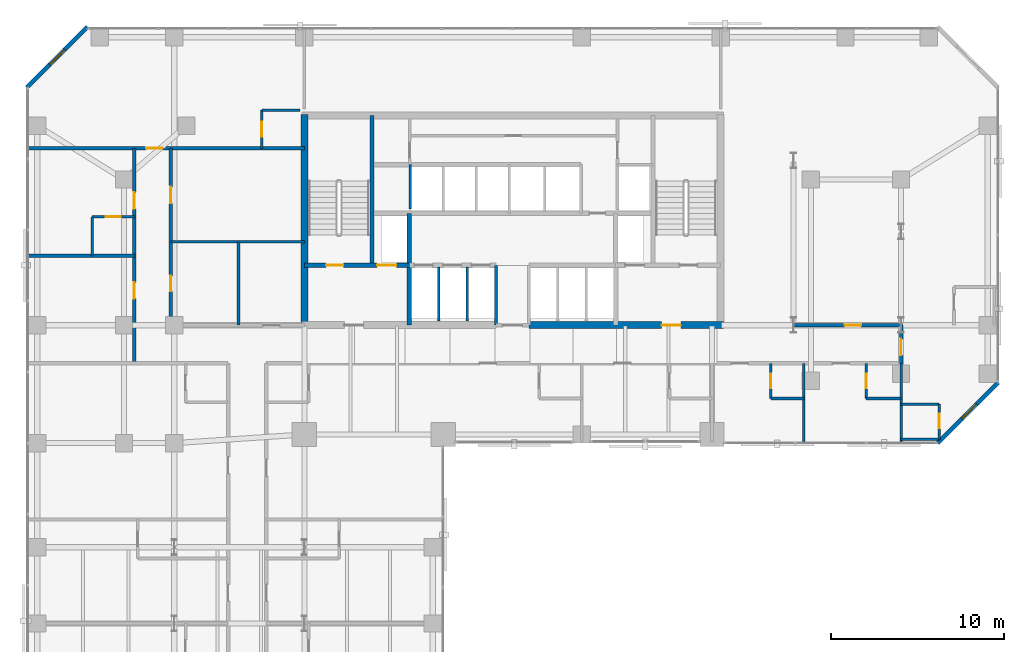
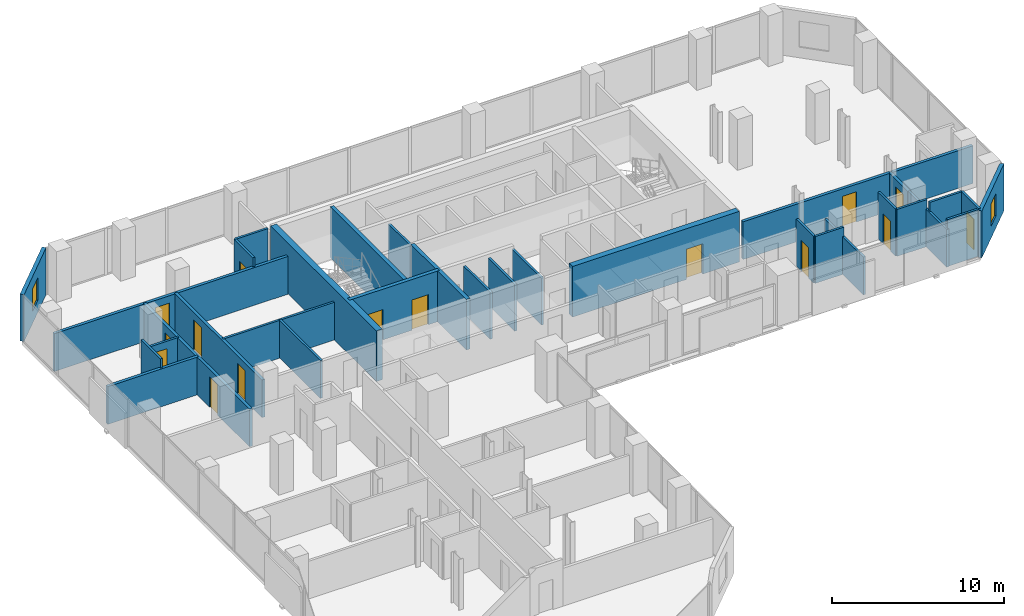
# One storey, part 28 of 32: 32 walls, 15 doors, 2 windows, 17 openings.
"""IFC4 building model written with IfcOpenShell, lengths in metres."""

from ifc_helpers import new_model, si_unit, direction, frame, frame_2d, origin, place, context, subcontext, project, spatial, rectangle, extrude, material, layer, layer_set, type_object, element, fill, save


model = new_model("IFC4")

# Units and contexts
model_context = context("Model", 3, precision=1e-05, world=origin(), true_north=direction((0.0, 1.0)))
body_context = subcontext(model_context, "Body", "Model", "MODEL_VIEW")
ifc_project = project(units=[si_unit("LENGTHUNIT", "METRE"), si_unit("AREAUNIT", "SQUARE_METRE"), si_unit("VOLUMEUNIT", "CUBIC_METRE"), si_unit("PLANEANGLEUNIT", "RADIAN"), si_unit("MASSUNIT", "GRAM", prefix="KILO")], contexts=[model_context])

# Site, building, storey
site_placement = place(None, origin())
site = spatial("IfcSite", under=ifc_project, at=site_placement, CompositionType="ELEMENT")
building_placement = place(site_placement, origin())
building = spatial("IfcBuilding", under=site, at=building_placement, Name="Catumbela Crestline Tower", CompositionType="ELEMENT")
storey_placement = place(building_placement, frame((0.0, 0.0, 29.4)))
storey = spatial("IfcBuildingStorey", under=building, at=storey_placement, Name="L06", CompositionType="ELEMENT", Elevation=29.4)

# Walls
ifc_material_1 = material(Name="Concrete C50/60", Category="concrete")
ifc_layer_1 = layer(ifc_material_1, 0.25, Name="Concrete C50/60")
ifc_layer_set_1 = layer_set([ifc_layer_1], Name="Concrete C50/60")
wall_type_1 = type_object("IfcWallType", Name="CW-250D", PredefinedType="SHEAR", material=ifc_layer_set_1)
wall_1_placement = place(storey_placement, frame((19.9, 34.25, 0.0), z_axis=(0.0, 0.0, 1.0), x_axis=(0.0, 1.0, 0.0)))
element("IfcWall", 1, at=wall_1_placement, inside=storey, type_object=wall_type_1, Name="L06 Structural Core Shear Wall WWEB", PredefinedType="SHEAR", context=body_context, shape_type="SweptSolid", body=[
    extrude(rectangle(XDim=8.65, YDim=0.25, at=frame_2d((4.325, 0.0))), origin(), (0.0, 0.0, 1.0), 3.6),
])
wall_2_placement = place(storey_placement, frame((22.05, 30.8, 0.0), z_axis=(0.0, 0.0, 1.0), x_axis=(0.0, 1.0, 0.0)))
element("IfcWall", 2, at=wall_2_placement, inside=storey, type_object=wall_type_1, Name="L06 Structural Core Shear Wall FFW", PredefinedType="SHEAR", context=body_context, shape_type="SweptSolid", body=[
    extrude(rectangle(XDim=6.45, YDim=0.25, at=frame_2d((3.225, 0.0))), origin(), (0.0, 0.0, 1.0), 3.6),
])

# Wall, openings, doors
wall_3_placement = place(storey_placement, frame((16.0, 34.25, 0.0), z_axis=(0.0, 0.0, 1.0), x_axis=(1.0, 0.0, 0.0)))
wall_3 = element("IfcWall", 3, at=wall_3_placement, inside=storey, type_object=wall_type_1, Name="L06 Structural Core Shear Wall ST1S", PredefinedType="SHEAR", context=body_context, shape_type="SweptSolid", body=[
    extrude(rectangle(XDim=6.05, YDim=0.25, at=frame_2d((3.025, 0.0))), origin(), (0.0, 0.0, 1.0), 3.6),
])
opening_1_placement = place(wall_3_placement, frame((1.25, 0.0, 0.0)))
opening_1 = element("IfcOpeningElement", 4, at=opening_1_placement, cuts=wall_3, Name="Opening DF9-100", PredefinedType="OPENING", context=body_context, shape_type="SweptSolid", body=[
    extrude(rectangle(XDim=1.0, YDim=2.15, at=frame_2d((0.5, 1.075))), frame((0.0, 0.135, 0.0), z_axis=(0.0, -1.0, 0.0), x_axis=(1.0, 0.0, 0.0)), (0.0, 0.0, 1.0), 0.27),
])
opening_2_placement = place(wall_3_placement, frame((4.2, 0.0, 0.0)))
opening_2 = element("IfcOpeningElement", 5, at=opening_2_placement, cuts=wall_3, Name="Opening LD-110", PredefinedType="OPENING", context=body_context, shape_type="SweptSolid", body=[
    extrude(rectangle(XDim=1.1, YDim=2.15, at=frame_2d((0.55, 1.075))), frame((0.0, 0.135, 0.0), z_axis=(0.0, -1.0, 0.0), x_axis=(1.0, 0.0, 0.0)), (0.0, 0.0, 1.0), 0.27),
])
ifc_material_2 = material(Name="Stainless steel EN 1.4401", Category="steel")
door_type_1 = type_object("IfcDoorType", Name="DF9-100", OperationType="NOTDEFINED", PredefinedType="DOOR", material=ifc_material_2)
door_1_placement = place(opening_1_placement, origin())
door_1 = element("IfcDoor", 6, at=door_1_placement, inside=storey, type_object=door_type_1, Name="L06 Interior Door DR-L06-ST01", OperationType="SINGLE_SWING_LEFT", OverallHeight=2.15, OverallWidth=1.0, PredefinedType="DOOR", context=body_context, shape_type="SweptSolid", body=[
    extrude(rectangle(XDim=1.0, YDim=2.15, at=frame_2d((0.5, 1.075))), frame((0.0, 0.025, 0.0), z_axis=(0.0, -1.0, 0.0), x_axis=(1.0, 0.0, 0.0)), (0.0, 0.0, 1.0), 0.05),
])
fill(opening_1, door_1)
door_type_2 = type_object("IfcDoorType", Name="LD-110", OperationType="NOTDEFINED", PredefinedType="DOOR", material=ifc_material_2)
door_2_placement = place(opening_2_placement, origin())
door_2 = element("IfcDoor", 7, at=door_2_placement, inside=storey, type_object=door_type_2, Name="L06 Lift Landing Sliding Door FL-01", OperationType="DOUBLE_DOOR_SLIDING", OverallHeight=2.15, OverallWidth=1.1, PredefinedType="DOOR", context=body_context, shape_type="SweptSolid", body=[
    extrude(rectangle(XDim=1.1, YDim=2.15, at=frame_2d((0.55, 1.075))), frame((0.0, 0.025, 0.0), z_axis=(0.0, -1.0, 0.0), x_axis=(1.0, 0.0, 0.0)), (0.0, 0.0, 1.0), 0.05),
])
fill(opening_2, door_2)

# Wall
ifc_material_3 = material(Name="Concrete C60/75", Category="concrete")
ifc_layer_2 = layer(ifc_material_3, 0.4, Name="Concrete C60/75")
ifc_layer_set_2 = layer_set([ifc_layer_2], Name="Concrete C60/75")
wall_type_2 = type_object("IfcWallType", Name="CW-400A", PredefinedType="SHEAR", material=ifc_layer_set_2)
wall_4_placement = place(storey_placement, frame((16.0, 30.65, 0.0), z_axis=(0.0, 0.0, 1.0), x_axis=(0.0, 1.0, 0.0)))
element("IfcWall", 8, at=wall_4_placement, inside=storey, type_object=wall_type_2, Name="L06 Structural Core Shear Wall W", PredefinedType="SHEAR", context=body_context, shape_type="SweptSolid", body=[
    extrude(rectangle(XDim=12.3, YDim=0.4, at=frame_2d((6.15, 0.0))), origin(), (0.0, 0.0, 1.0), 3.6),
])

# Wall, opening, door
wall_5_placement = place(storey_placement, frame((28.95, 30.8, 0.0), z_axis=(0.0, 0.0, 1.0), x_axis=(1.0, 0.0, 0.0)))
wall_5 = element("IfcWall", 9, at=wall_5_placement, inside=storey, type_object=wall_type_2, Name="L06 Structural Core Shear Wall SE", PredefinedType="SHEAR", context=body_context, shape_type="SweptSolid", body=[
    extrude(rectangle(XDim=11.2, YDim=0.4, at=frame_2d((5.6, 0.0))), origin(), (0.0, 0.0, 1.0), 3.6),
])
opening_3_placement = place(wall_5_placement, frame((7.65, 0.0, 0.0)))
opening_3 = element("IfcOpeningElement", 10, at=opening_3_placement, cuts=wall_5, Name="Opening DF9-110", PredefinedType="OPENING", context=body_context, shape_type="SweptSolid", body=[
    extrude(rectangle(XDim=1.1, YDim=2.15, at=frame_2d((0.55, 1.075))), frame((0.0, 0.21, 0.0), z_axis=(0.0, -1.0, 0.0), x_axis=(1.0, 0.0, 0.0)), (0.0, 0.0, 1.0), 0.42),
])
door_type_3 = type_object("IfcDoorType", Name="DF9-110", OperationType="NOTDEFINED", PredefinedType="DOOR", material=ifc_material_2)
door_3_placement = place(opening_3_placement, origin())
door_3 = element("IfcDoor", 11, at=door_3_placement, inside=storey, type_object=door_type_3, Name="L06 Interior Door DR-L06-FFE-S", OperationType="SINGLE_SWING_RIGHT", OverallHeight=2.15, OverallWidth=1.1, PredefinedType="DOOR", context=body_context, shape_type="SweptSolid", body=[
    extrude(rectangle(XDim=1.1, YDim=2.15, at=frame_2d((0.55, 1.075))), frame((0.0, 0.025, 0.0), z_axis=(0.0, -1.0, 0.0), x_axis=(1.0, 0.0, 0.0)), (0.0, 0.0, 1.0), 0.05),
])
fill(opening_3, door_3)

# Wall, openings, doors
ifc_material_4 = material(Name="Acoustic gypsum and mineral-wool partition")
ifc_layer_3 = layer(ifc_material_4, 0.2, Name="Acoustic gypsum and mineral-wool partition")
ifc_layer_set_3 = layer_set([ifc_layer_3], Name="Acoustic gypsum and mineral-wool partition")
wall_type_3 = type_object("IfcWallType", Name="WC-200", PredefinedType="PARTITIONING", material=ifc_layer_set_3)
wall_6_placement = place(storey_placement, frame((8.3, 30.8, 0.0), z_axis=(0.0, 0.0, 1.0), x_axis=(0.0, 1.0, 0.0)))
wall_6 = element("IfcWall", 12, at=wall_6_placement, inside=storey, type_object=wall_type_3, Name="L06 Interior Partition PW-L06-AWC-W", PredefinedType="PARTITIONING", context=body_context, shape_type="SweptSolid", body=[
    extrude(rectangle(XDim=10.2, YDim=0.2, at=frame_2d((5.1, 0.0))), origin(), (0.0, 0.0, 1.0), 2.68),
])
opening_4_placement = place(wall_6_placement, frame((1.95, 0.0, 0.0)))
opening_4 = element("IfcOpeningElement", 13, at=opening_4_placement, cuts=wall_6, Name="Opening DI-090", PredefinedType="OPENING", context=body_context, shape_type="SweptSolid", body=[
    extrude(rectangle(XDim=0.9, YDim=2.15, at=frame_2d((0.45, 1.075))), frame((0.0, 0.11, 0.0), z_axis=(0.0, -1.0, 0.0), x_axis=(1.0, 0.0, 0.0)), (0.0, 0.0, 1.0), 0.22),
])
opening_5_placement = place(wall_6_placement, frame((7.025, 0.0, 0.0)))
opening_5 = element("IfcOpeningElement", 14, at=opening_5_placement, cuts=wall_6, Name="Opening DF6-095", PredefinedType="OPENING", context=body_context, shape_type="SweptSolid", body=[
    extrude(rectangle(XDim=0.95, YDim=2.15, at=frame_2d((0.475, 1.075))), frame((0.0, 0.11, 0.0), z_axis=(0.0, -1.0, 0.0), x_axis=(1.0, 0.0, 0.0)), (0.0, 0.0, 1.0), 0.22),
])
ifc_material_5 = material(Name="Aluminium alloy AW-6060-T66", Category="aluminium")
door_type_4 = type_object("IfcDoorType", Name="DF6-095", OperationType="NOTDEFINED", PredefinedType="DOOR", material=ifc_material_5)
door_4_placement = place(opening_5_placement, origin())
door_4 = element("IfcDoor", 15, at=door_4_placement, inside=storey, type_object=door_type_4, Name="L06 Interior Door DR-L06-NWE1-ENT", OperationType="SINGLE_SWING_RIGHT", OverallHeight=2.15, OverallWidth=0.95, PredefinedType="DOOR", context=body_context, shape_type="SweptSolid", body=[
    extrude(rectangle(XDim=0.95, YDim=2.15, at=frame_2d((0.475, 1.075))), frame((0.0, 0.025, 0.0), z_axis=(0.0, -1.0, 0.0), x_axis=(1.0, 0.0, 0.0)), (0.0, 0.0, 1.0), 0.05),
])
fill(opening_5, door_4)
door_type_5 = type_object("IfcDoorType", Name="DI-090", OperationType="NOTDEFINED", PredefinedType="DOOR", material=ifc_material_5)
door_5_placement = place(opening_4_placement, origin())
door_5 = element("IfcDoor", 16, at=door_5_placement, inside=storey, type_object=door_type_5, Name="L06 Interior Door DR-L06-STWC", OperationType="SINGLE_SWING_RIGHT", OverallHeight=2.15, OverallWidth=0.9, PredefinedType="DOOR", context=body_context, shape_type="SweptSolid", body=[
    extrude(rectangle(XDim=0.9, YDim=2.15, at=frame_2d((0.45, 1.075))), frame((0.0, 0.025, 0.0), z_axis=(0.0, -1.0, 0.0), x_axis=(1.0, 0.0, 0.0)), (0.0, 0.0, 1.0), 0.05),
])
fill(opening_4, door_5)

# Wall, opening, door
wall_7_placement = place(storey_placement, frame((0.1, 41.0, 0.0), z_axis=(0.0, 0.0, 1.0), x_axis=(1.0, 0.0, 0.0)))
wall_7 = element("IfcWall", 17, at=wall_7_placement, inside=storey, type_object=wall_type_3, Name="L06 Interior Partition PW-L06-NWTOP-ENT", PredefinedType="PARTITIONING", context=body_context, shape_type="SweptSolid", body=[
    extrude(rectangle(XDim=15.9, YDim=0.2, at=frame_2d((7.95, 0.0))), origin(), (0.0, 0.0, 1.0), 2.68),
])
opening_6_placement = place(wall_7_placement, frame((6.7788, 0.0, 0.0)))
opening_6 = element("IfcOpeningElement", 18, at=opening_6_placement, cuts=wall_7, Name="Opening DF6-095", PredefinedType="OPENING", context=body_context, shape_type="SweptSolid", body=[
    extrude(rectangle(XDim=0.95, YDim=2.15, at=frame_2d((0.475, 1.075))), frame((0.0, 0.11, 0.0), z_axis=(0.0, -1.0, 0.0), x_axis=(1.0, 0.0, 0.0)), (0.0, 0.0, 1.0), 0.22),
])
door_6_placement = place(opening_6_placement, origin())
door_6 = element("IfcDoor", 19, at=door_6_placement, inside=storey, type_object=door_type_4, Name="L06 Interior Door DR-L06-NWTOP-ENT", OperationType="SINGLE_SWING_LEFT", OverallHeight=2.15, OverallWidth=0.95, PredefinedType="DOOR", context=body_context, shape_type="SweptSolid", body=[
    extrude(rectangle(XDim=0.95, YDim=2.15, at=frame_2d((0.475, 1.075))), frame((0.0, 0.025, 0.0), z_axis=(0.0, -1.0, 0.0), x_axis=(1.0, 0.0, 0.0)), (0.0, 0.0, 1.0), 0.05),
])
fill(opening_6, door_6)

# Wall, openings, doors
wall_8_placement = place(storey_placement, frame((6.2, 28.6, 0.0), z_axis=(0.0, 0.0, 1.0), x_axis=(0.0, 1.0, 0.0)))
wall_8 = element("IfcWall", 20, at=wall_8_placement, inside=storey, type_object=wall_type_3, Name="L06 Interior Partition PW-L06-NWW1-ENT", PredefinedType="PARTITIONING", context=body_context, shape_type="SweptSolid", body=[
    extrude(rectangle(XDim=12.4, YDim=0.2, at=frame_2d((6.2, 0.0))), origin(), (0.0, 0.0, 1.0), 2.68),
])
opening_7_placement = place(wall_8_placement, frame((3.725, 0.0, 0.0)))
opening_7 = element("IfcOpeningElement", 21, at=opening_7_placement, cuts=wall_8, Name="Opening DF6-095", PredefinedType="OPENING", context=body_context, shape_type="SweptSolid", body=[
    extrude(rectangle(XDim=0.95, YDim=2.15, at=frame_2d((0.475, 1.075))), frame((0.0, 0.11, 0.0), z_axis=(0.0, -1.0, 0.0), x_axis=(1.0, 0.0, 0.0)), (0.0, 0.0, 1.0), 0.22),
])
opening_8_placement = place(wall_8_placement, frame((8.91, 0.0, 0.0)))
opening_8 = element("IfcOpeningElement", 22, at=opening_8_placement, cuts=wall_8, Name="Opening DF6-095", PredefinedType="OPENING", context=body_context, shape_type="SweptSolid", body=[
    extrude(rectangle(XDim=0.95, YDim=2.15, at=frame_2d((0.475, 1.075))), frame((0.0, 0.11, 0.0), z_axis=(0.0, -1.0, 0.0), x_axis=(1.0, 0.0, 0.0)), (0.0, 0.0, 1.0), 0.22),
])
door_7_placement = place(opening_7_placement, origin())
door_7 = element("IfcDoor", 23, at=door_7_placement, inside=storey, type_object=door_type_4, Name="L06 Interior Door DR-L06-NWW1-ENT", OperationType="SINGLE_SWING_RIGHT", OverallHeight=2.15, OverallWidth=0.95, PredefinedType="DOOR", context=body_context, shape_type="SweptSolid", body=[
    extrude(rectangle(XDim=0.95, YDim=2.15, at=frame_2d((0.475, 1.075))), frame((0.0, 0.025, 0.0), z_axis=(0.0, -1.0, 0.0), x_axis=(1.0, 0.0, 0.0)), (0.0, 0.0, 1.0), 0.05),
])
fill(opening_7, door_7)
door_8_placement = place(opening_8_placement, origin())
door_8 = element("IfcDoor", 24, at=door_8_placement, inside=storey, type_object=door_type_4, Name="L06 Interior Door DR-L06-NWW2-ENT", OperationType="SINGLE_SWING_LEFT", OverallHeight=2.15, OverallWidth=0.95, PredefinedType="DOOR", context=body_context, shape_type="SweptSolid", body=[
    extrude(rectangle(XDim=0.95, YDim=2.15, at=frame_2d((0.475, 1.075))), frame((0.0, 0.025, 0.0), z_axis=(0.0, -1.0, 0.0), x_axis=(1.0, 0.0, 0.0)), (0.0, 0.0, 1.0), 0.05),
])
fill(opening_8, door_8)

# Wall, opening, door
wall_9_placement = place(storey_placement, frame((40.47, 30.8, 0.0), z_axis=(0.0, 0.0, 1.0), x_axis=(1.0, 0.0, 0.0)))
wall_9 = element("IfcWall", 25, at=wall_9_placement, inside=storey, type_object=wall_type_3, Name="L06 Interior Partition PW-L06-NES-ENT", PredefinedType="PARTITIONING", context=body_context, shape_type="SweptSolid", body=[
    extrude(rectangle(XDim=15.43, YDim=0.2, at=frame_2d((7.715, 0.0))), origin(), (0.0, 0.0, 1.0), 2.68),
])
opening_9_placement = place(wall_9_placement, frame((6.6725, 0.0, 0.0)))
opening_9 = element("IfcOpeningElement", 26, at=opening_9_placement, cuts=wall_9, Name="Opening DF6-095", PredefinedType="OPENING", context=body_context, shape_type="SweptSolid", body=[
    extrude(rectangle(XDim=0.95, YDim=2.15, at=frame_2d((0.475, 1.075))), frame((0.0, 0.11, 0.0), z_axis=(0.0, -1.0, 0.0), x_axis=(1.0, 0.0, 0.0)), (0.0, 0.0, 1.0), 0.22),
])
door_9_placement = place(opening_9_placement, origin())
door_9 = element("IfcDoor", 27, at=door_9_placement, inside=storey, type_object=door_type_4, Name="L06 Interior Door DR-L06-NES-ENT", OperationType="SINGLE_SWING_LEFT", OverallHeight=2.15, OverallWidth=0.95, PredefinedType="DOOR", context=body_context, shape_type="SweptSolid", body=[
    extrude(rectangle(XDim=0.95, YDim=2.15, at=frame_2d((0.475, 1.075))), frame((0.0, 0.025, 0.0), z_axis=(0.0, -1.0, 0.0), x_axis=(1.0, 0.0, 0.0)), (0.0, 0.0, 1.0), 0.05),
])
fill(opening_9, door_9)

wall_10_placement = place(storey_placement, frame((50.4, 28.6, 0.0), z_axis=(0.0, 0.0, 1.0), x_axis=(0.0, 1.0, 0.0)))
wall_10 = element("IfcWall", 28, at=wall_10_placement, inside=storey, type_object=wall_type_3, Name="L06 Interior Partition PW-L06-NESE-ENT", PredefinedType="PARTITIONING", context=body_context, shape_type="SweptSolid", body=[
    extrude(rectangle(XDim=2.2, YDim=0.2, at=frame_2d((1.1, 0.0))), origin(), (0.0, 0.0, 1.0), 2.68),
])
opening_10_placement = place(wall_10_placement, frame((0.46, 0.0, 0.0)))
opening_10 = element("IfcOpeningElement", 29, at=opening_10_placement, cuts=wall_10, Name="Opening DF6-095", PredefinedType="OPENING", context=body_context, shape_type="SweptSolid", body=[
    extrude(rectangle(XDim=0.95, YDim=2.15, at=frame_2d((0.475, 1.075))), frame((0.0, 0.11, 0.0), z_axis=(0.0, -1.0, 0.0), x_axis=(1.0, 0.0, 0.0)), (0.0, 0.0, 1.0), 0.22),
])
door_10_placement = place(opening_10_placement, origin())
door_10 = element("IfcDoor", 30, at=door_10_placement, inside=storey, type_object=door_type_4, Name="L06 Interior Door DR-L06-NESE-ENT", OperationType="SINGLE_SWING_RIGHT", OverallHeight=2.15, OverallWidth=0.95, PredefinedType="DOOR", context=body_context, shape_type="SweptSolid", body=[
    extrude(rectangle(XDim=0.95, YDim=2.15, at=frame_2d((0.475, 1.075))), frame((0.0, 0.025, 0.0), z_axis=(0.0, -1.0, 0.0), x_axis=(1.0, 0.0, 0.0)), (0.0, 0.0, 1.0), 0.05),
])
fill(opening_10, door_10)

# Wall, opening, window
ifc_material_6 = material(Name="Angolan grey-ochre granite", Category="masonry")
ifc_layer_4 = layer(ifc_material_6, 0.25, Name="Angolan grey-ochre granite")
ifc_layer_set_4 = layer_set([ifc_layer_4], Name="Angolan grey-ochre granite")
wall_type_4 = type_object("IfcWallType", Name="WE-250", PredefinedType="STANDARD", material=ifc_layer_set_4)
wall_11_placement = place(storey_placement, frame((52.5, 24.0, 0.0), z_axis=(0.0, 0.0, 1.0), x_axis=(0.707106781187, 0.707106781187, 0.0)))
wall_11 = element("IfcWall", 31, at=wall_11_placement, inside=storey, type_object=wall_type_4, Name="L06 Granite Punched Window Wall 4-1", PredefinedType="STANDARD", context=body_context, shape_type="SweptSolid", body=[
    extrude(rectangle(XDim=4.9497, YDim=0.25, at=frame_2d((2.4748, 0.0))), origin(), (0.0, 0.0, 1.0), 3.33),
])
opening_11_placement = place(wall_11_placement, frame((1.9851, 0.0, 0.85)))
opening_11 = element("IfcOpeningElement", 32, at=opening_11_placement, cuts=wall_11, Name="Opening WN-02", PredefinedType="OPENING", context=body_context, shape_type="SweptSolid", body=[
    extrude(rectangle(XDim=1.2, YDim=1.6, at=frame_2d((0.6, 0.8))), frame((0.0, 0.135, 0.0), z_axis=(0.0, -1.0, 0.0), x_axis=(1.0, 0.0, 0.0)), (0.0, 0.0, 1.0), 0.27),
])
ifc_material_7 = material(Name="Low-E laminated solar-control double glazing", Category="glass")
window_type = type_object("IfcWindowType", Name="WO-1200", PartitioningType="SINGLE_PANEL", PredefinedType="WINDOW", material=ifc_material_7)
window_1_placement = place(opening_11_placement, origin())
window_1 = element("IfcWindow", 33, at=window_1_placement, inside=storey, type_object=window_type, Name="L06 Facade Vision Window 54", OverallHeight=1.6, OverallWidth=1.2, PartitioningType="SINGLE_PANEL", PredefinedType="WINDOW", context=body_context, shape_type="SweptSolid", body=[
    extrude(rectangle(XDim=1.2, YDim=1.6, at=frame_2d((0.6, 0.8))), frame((0.0, 0.03, 0.0), z_axis=(0.0, -1.0, 0.0), x_axis=(1.0, 0.0, 0.0)), (0.0, 0.0, 1.0), 0.06),
])
fill(opening_11, window_1)

wall_12_placement = place(storey_placement, frame((3.5, 48.0, 0.0), z_axis=(0.0, 0.0, 1.0), x_axis=(-0.707106781187, -0.707106781187, 0.0)))
wall_12 = element("IfcWall", 34, at=wall_12_placement, inside=storey, type_object=wall_type_4, Name="L06 Granite Punched Window Wall 8-1", PredefinedType="STANDARD", context=body_context, shape_type="SweptSolid", body=[
    extrude(rectangle(XDim=4.9497, YDim=0.25, at=frame_2d((2.4748, 0.0))), origin(), (0.0, 0.0, 1.0), 3.33),
])
opening_12_placement = place(wall_12_placement, frame((1.8748, 0.0, 0.85)))
opening_12 = element("IfcOpeningElement", 35, at=opening_12_placement, cuts=wall_12, Name="Opening WN-02", PredefinedType="OPENING", context=body_context, shape_type="SweptSolid", body=[
    extrude(rectangle(XDim=1.2, YDim=1.6, at=frame_2d((0.6, 0.8))), frame((0.0, 0.135, 0.0), z_axis=(0.0, -1.0, 0.0), x_axis=(1.0, 0.0, 0.0)), (0.0, 0.0, 1.0), 0.27),
])
window_2_placement = place(opening_12_placement, origin())
window_2 = element("IfcWindow", 36, at=window_2_placement, inside=storey, type_object=window_type, Name="L06 Facade Vision Window 56", OverallHeight=1.6, OverallWidth=1.2, PartitioningType="SINGLE_PANEL", PredefinedType="WINDOW", context=body_context, shape_type="SweptSolid", body=[
    extrude(rectangle(XDim=1.2, YDim=1.6, at=frame_2d((0.6, 0.8))), frame((0.0, 0.03, 0.0), z_axis=(0.0, -1.0, 0.0), x_axis=(1.0, 0.0, 0.0)), (0.0, 0.0, 1.0), 0.06),
])
fill(opening_12, window_2)

# Walls
ifc_layer_5 = layer(ifc_material_4, 0.15, Name="Acoustic gypsum and mineral-wool partition")
ifc_layer_set_5 = layer_set([ifc_layer_5], Name="Acoustic gypsum and mineral-wool partition")
wall_type_5 = type_object("IfcWallType", Name="WP-150", PredefinedType="PARTITIONING", material=ifc_layer_set_5)
wall_13_placement = place(storey_placement, frame((8.3, 35.6, 0.0), z_axis=(0.0, 0.0, 1.0), x_axis=(1.0, 0.0, 0.0)))
element("IfcWall", 37, at=wall_13_placement, inside=storey, type_object=wall_type_5, Name="L06 Interior Partition PW-L06-HK-N", PredefinedType="PARTITIONING", context=body_context, shape_type="SweptSolid", body=[
    extrude(rectangle(XDim=7.7, YDim=0.15, at=frame_2d((3.85, 0.0))), origin(), (0.0, 0.0, 1.0), 2.68),
])
wall_14_placement = place(storey_placement, frame((12.2, 30.8, 0.0), z_axis=(0.0, 0.0, 1.0), x_axis=(0.0, 1.0, 0.0)))
element("IfcWall", 38, at=wall_14_placement, inside=storey, type_object=wall_type_5, Name="L06 Interior Partition PW-L06-HK-M", PredefinedType="PARTITIONING", context=body_context, shape_type="SweptSolid", body=[
    extrude(rectangle(XDim=4.8, YDim=0.15, at=frame_2d((2.4, 0.0))), origin(), (0.0, 0.0, 1.0), 2.68),
])
wall_15_placement = place(storey_placement, frame((13.55, 43.2, 0.0), z_axis=(0.0, 0.0, 1.0), x_axis=(1.0, 0.0, 0.0)))
element("IfcWall", 39, at=wall_15_placement, inside=storey, type_object=wall_type_5, Name="L06 Interior Partition PW-L06-NWTOP-BHW", PredefinedType="PARTITIONING", context=body_context, shape_type="SweptSolid", body=[
    extrude(rectangle(XDim=2.1897, YDim=0.15, at=frame_2d((1.0949, 0.0))), origin(), (0.0, 0.0, 1.0), 3.33),
])

# Wall, opening, door
wall_16_placement = place(storey_placement, frame((13.55, 41.0, 0.0), z_axis=(0.0, 0.0, 1.0), x_axis=(0.0, 1.0, 0.0)))
wall_16 = element("IfcWall", 40, at=wall_16_placement, inside=storey, type_object=wall_type_5, Name="L06 Interior Partition PW-L06-NWTOP-BWW", PredefinedType="PARTITIONING", context=body_context, shape_type="SweptSolid", body=[
    extrude(rectangle(XDim=2.2, YDim=0.15, at=frame_2d((1.1, 0.0))), origin(), (0.0, 0.0, 1.0), 3.33),
])
opening_13_placement = place(wall_16_placement, frame((0.675, 0.0, 0.0)))
opening_13 = element("IfcOpeningElement", 41, at=opening_13_placement, cuts=wall_16, Name="Opening DI-085", PredefinedType="OPENING", context=body_context, shape_type="SweptSolid", body=[
    extrude(rectangle(XDim=0.85, YDim=2.15, at=frame_2d((0.425, 1.075))), frame((0.0, 0.085, 0.0), z_axis=(0.0, -1.0, 0.0), x_axis=(1.0, 0.0, 0.0)), (0.0, 0.0, 1.0), 0.17),
])
door_type_6 = type_object("IfcDoorType", Name="DI-085", OperationType="NOTDEFINED", PredefinedType="DOOR", material=ifc_material_5)
door_11_placement = place(opening_13_placement, origin())
door_11 = element("IfcDoor", 42, at=door_11_placement, inside=storey, type_object=door_type_6, Name="L06 Interior Door DR-L06-NWTOP-BTH", OperationType="SINGLE_SWING_RIGHT", OverallHeight=2.15, OverallWidth=0.85, PredefinedType="DOOR", context=body_context, shape_type="SweptSolid", body=[
    extrude(rectangle(XDim=0.85, YDim=2.15, at=frame_2d((0.425, 1.075))), frame((0.0, 0.025, 0.0), z_axis=(0.0, -1.0, 0.0), x_axis=(1.0, 0.0, 0.0)), (0.0, 0.0, 1.0), 0.05),
])
fill(opening_13, door_11)

# Wall
wall_17_placement = place(storey_placement, frame((3.76, 34.8, 0.0), z_axis=(0.0, 0.0, 1.0), x_axis=(0.0, 1.0, 0.0)))
element("IfcWall", 43, at=wall_17_placement, inside=storey, type_object=wall_type_5, Name="L06 Interior Partition PW-L06-NWW2-BWW", PredefinedType="PARTITIONING", context=body_context, shape_type="SweptSolid", body=[
    extrude(rectangle(XDim=2.25, YDim=0.15, at=frame_2d((1.125, 0.0))), origin(), (0.0, 0.0, 1.0), 3.33),
])

# Wall, opening, door
wall_18_placement = place(storey_placement, frame((3.76, 37.05, 0.0), z_axis=(0.0, 0.0, 1.0), x_axis=(1.0, 0.0, 0.0)))
wall_18 = element("IfcWall", 44, at=wall_18_placement, inside=storey, type_object=wall_type_5, Name="L06 Interior Partition PW-L06-NWW2-BNW", PredefinedType="PARTITIONING", context=body_context, shape_type="SweptSolid", body=[
    extrude(rectangle(XDim=2.44, YDim=0.15, at=frame_2d((1.22, 0.0))), origin(), (0.0, 0.0, 1.0), 2.68),
])
opening_14_placement = place(wall_18_placement, frame((0.795, 0.0, 0.0)))
opening_14 = element("IfcOpeningElement", 45, at=opening_14_placement, cuts=wall_18, Name="Opening DI-085", PredefinedType="OPENING", context=body_context, shape_type="SweptSolid", body=[
    extrude(rectangle(XDim=0.85, YDim=2.15, at=frame_2d((0.425, 1.075))), frame((0.0, 0.085, 0.0), z_axis=(0.0, -1.0, 0.0), x_axis=(1.0, 0.0, 0.0)), (0.0, 0.0, 1.0), 0.17),
])
door_12_placement = place(opening_14_placement, origin())
door_12 = element("IfcDoor", 46, at=door_12_placement, inside=storey, type_object=door_type_6, Name="L06 Interior Door DR-L06-NWW2-BTH", OperationType="SINGLE_SWING_RIGHT", OverallHeight=2.15, OverallWidth=0.85, PredefinedType="DOOR", context=body_context, shape_type="SweptSolid", body=[
    extrude(rectangle(XDim=0.85, YDim=2.15, at=frame_2d((0.425, 1.075))), frame((0.0, 0.025, 0.0), z_axis=(0.0, -1.0, 0.0), x_axis=(1.0, 0.0, 0.0)), (0.0, 0.0, 1.0), 0.05),
])
fill(opening_14, door_12)

# Wall
wall_19_placement = place(storey_placement, frame((42.892, 26.576, 0.0), z_axis=(0.0, 0.0, 1.0), x_axis=(1.0, 0.0, 0.0)))
element("IfcWall", 47, at=wall_19_placement, inside=storey, type_object=wall_type_5, Name="L06 Interior Partition PW-L06-K3-BHW", PredefinedType="PARTITIONING", context=body_context, shape_type="SweptSolid", body=[
    extrude(rectangle(XDim=1.908, YDim=0.15, at=frame_2d((0.954, 0.0))), origin(), (0.0, 0.0, 1.0), 3.33),
])

# Wall, opening, door
wall_20_placement = place(storey_placement, frame((42.892, 26.576, 0.0), z_axis=(0.0, 0.0, 1.0), x_axis=(0.0, 1.0, 0.0)))
wall_20 = element("IfcWall", 48, at=wall_20_placement, inside=storey, type_object=wall_type_5, Name="L06 Interior Partition PW-L06-K3-BWW", PredefinedType="PARTITIONING", context=body_context, shape_type="SweptSolid", body=[
    extrude(rectangle(XDim=2.024, YDim=0.15, at=frame_2d((1.012, 0.0))), origin(), (0.0, 0.0, 1.0), 3.33),
])
opening_15_placement = place(wall_20_placement, frame((0.587, 0.0, 0.0)))
opening_15 = element("IfcOpeningElement", 49, at=opening_15_placement, cuts=wall_20, Name="Opening DI-085", PredefinedType="OPENING", context=body_context, shape_type="SweptSolid", body=[
    extrude(rectangle(XDim=0.85, YDim=2.15, at=frame_2d((0.425, 1.075))), frame((0.0, 0.085, 0.0), z_axis=(0.0, -1.0, 0.0), x_axis=(1.0, 0.0, 0.0)), (0.0, 0.0, 1.0), 0.17),
])
door_13_placement = place(opening_15_placement, origin())
door_13 = element("IfcDoor", 50, at=door_13_placement, inside=storey, type_object=door_type_6, Name="L06 Interior Door DR-L06-K3-BTH", OperationType="SINGLE_SWING_RIGHT", OverallHeight=2.15, OverallWidth=0.85, PredefinedType="DOOR", context=body_context, shape_type="SweptSolid", body=[
    extrude(rectangle(XDim=0.85, YDim=2.15, at=frame_2d((0.425, 1.075))), frame((0.0, 0.025, 0.0), z_axis=(0.0, -1.0, 0.0), x_axis=(1.0, 0.0, 0.0)), (0.0, 0.0, 1.0), 0.05),
])
fill(opening_15, door_13)

# Walls
wall_21_placement = place(storey_placement, frame((44.8, 28.6, 0.0), z_axis=(0.0, 0.0, 1.0), x_axis=(0.0, -1.0, 0.0)))
element("IfcWall", 51, at=wall_21_placement, inside=storey, type_object=wall_type_5, Name="L06 Interior Partition PW-L06-K3-BCL-2", PredefinedType="PARTITIONING", context=body_context, shape_type="SweptSolid", body=[
    extrude(rectangle(XDim=4.5, YDim=0.15, at=frame_2d((2.25, 0.0))), origin(), (0.0, 0.0, 1.0), 2.68),
])
wall_22_placement = place(storey_placement, frame((48.384, 26.576, 0.0), z_axis=(0.0, 0.0, 1.0), x_axis=(1.0, 0.0, 0.0)))
element("IfcWall", 52, at=wall_22_placement, inside=storey, type_object=wall_type_5, Name="L06 Interior Partition PW-L06-K4-BHW", PredefinedType="PARTITIONING", context=body_context, shape_type="SweptSolid", body=[
    extrude(rectangle(XDim=2.016, YDim=0.15, at=frame_2d((1.008, 0.0))), origin(), (0.0, 0.0, 1.0), 3.33),
])

# Wall, opening, door
wall_23_placement = place(storey_placement, frame((48.384, 26.576, 0.0), z_axis=(0.0, 0.0, 1.0), x_axis=(0.0, 1.0, 0.0)))
wall_23 = element("IfcWall", 53, at=wall_23_placement, inside=storey, type_object=wall_type_5, Name="L06 Interior Partition PW-L06-K4-BWW", PredefinedType="PARTITIONING", context=body_context, shape_type="SweptSolid", body=[
    extrude(rectangle(XDim=2.024, YDim=0.15, at=frame_2d((1.012, 0.0))), origin(), (0.0, 0.0, 1.0), 3.33),
])
opening_16_placement = place(wall_23_placement, frame((0.587, 0.0, 0.0)))
opening_16 = element("IfcOpeningElement", 54, at=opening_16_placement, cuts=wall_23, Name="Opening DI-085", PredefinedType="OPENING", context=body_context, shape_type="SweptSolid", body=[
    extrude(rectangle(XDim=0.85, YDim=2.15, at=frame_2d((0.425, 1.075))), frame((0.0, 0.085, 0.0), z_axis=(0.0, -1.0, 0.0), x_axis=(1.0, 0.0, 0.0)), (0.0, 0.0, 1.0), 0.17),
])
door_14_placement = place(opening_16_placement, origin())
door_14 = element("IfcDoor", 55, at=door_14_placement, inside=storey, type_object=door_type_6, Name="L06 Interior Door DR-L06-K4-BTH", OperationType="SINGLE_SWING_RIGHT", OverallHeight=2.15, OverallWidth=0.85, PredefinedType="DOOR", context=body_context, shape_type="SweptSolid", body=[
    extrude(rectangle(XDim=0.85, YDim=2.15, at=frame_2d((0.425, 1.075))), frame((0.0, 0.025, 0.0), z_axis=(0.0, -1.0, 0.0), x_axis=(1.0, 0.0, 0.0)), (0.0, 0.0, 1.0), 0.05),
])
fill(opening_16, door_14)

# Walls
wall_24_placement = place(storey_placement, frame((50.4, 28.6, 0.0), z_axis=(0.0, 0.0, 1.0), x_axis=(0.0, -1.0, 0.0)))
element("IfcWall", 56, at=wall_24_placement, inside=storey, type_object=wall_type_5, Name="L06 Interior Partition PW-L06-K4-BCL-2", PredefinedType="PARTITIONING", context=body_context, shape_type="SweptSolid", body=[
    extrude(rectangle(XDim=4.5, YDim=0.15, at=frame_2d((2.25, 0.0))), origin(), (0.0, 0.0, 1.0), 2.68),
])
wall_25_placement = place(storey_placement, frame((50.4, 26.25, 0.0), z_axis=(0.0, 0.0, 1.0), x_axis=(1.0, 0.0, 0.0)))
element("IfcWall", 57, at=wall_25_placement, inside=storey, type_object=wall_type_5, Name="L06 Interior Partition PW-L06-NESE-BNW", PredefinedType="PARTITIONING", context=body_context, shape_type="SweptSolid", body=[
    extrude(rectangle(XDim=2.2, YDim=0.15, at=frame_2d((1.1, 0.0))), origin(), (0.0, 0.0, 1.0), 3.33),
])

# Wall, opening, door
wall_26_placement = place(storey_placement, frame((52.6, 24.2, 0.0), z_axis=(0.0, 0.0, 1.0), x_axis=(0.0, 1.0, 0.0)))
wall_26 = element("IfcWall", 58, at=wall_26_placement, inside=storey, type_object=wall_type_5, Name="L06 Interior Partition PW-L06-NESE-BEW", PredefinedType="PARTITIONING", context=body_context, shape_type="SweptSolid", body=[
    extrude(rectangle(XDim=2.05, YDim=0.15, at=frame_2d((1.025, 0.0))), origin(), (0.0, 0.0, 1.0), 3.33),
])
opening_17_placement = place(wall_26_placement, frame((0.6514, 0.0, 0.0)))
opening_17 = element("IfcOpeningElement", 59, at=opening_17_placement, cuts=wall_26, Name="Opening DI-085", PredefinedType="OPENING", context=body_context, shape_type="SweptSolid", body=[
    extrude(rectangle(XDim=0.85, YDim=2.15, at=frame_2d((0.425, 1.075))), frame((0.0, 0.085, 0.0), z_axis=(0.0, -1.0, 0.0), x_axis=(1.0, 0.0, 0.0)), (0.0, 0.0, 1.0), 0.17),
])
door_15_placement = place(opening_17_placement, origin())
door_15 = element("IfcDoor", 60, at=door_15_placement, inside=storey, type_object=door_type_6, Name="L06 Interior Door DR-L06-NESE-BTH", OperationType="SINGLE_SWING_LEFT", OverallHeight=2.15, OverallWidth=0.85, PredefinedType="DOOR", context=body_context, shape_type="SweptSolid", body=[
    extrude(rectangle(XDim=0.85, YDim=2.15, at=frame_2d((0.425, 1.075))), frame((0.0, 0.025, 0.0), z_axis=(0.0, -1.0, 0.0), x_axis=(1.0, 0.0, 0.0)), (0.0, 0.0, 1.0), 0.05),
])
fill(opening_17, door_15)

# Walls
wall_27_placement = place(storey_placement, frame((52.62, 24.22, 0.0), z_axis=(0.0, 0.0, 1.0), x_axis=(-1.0, 0.0, 0.0)))
element("IfcWall", 61, at=wall_27_placement, inside=storey, type_object=wall_type_5, Name="L06 Interior Partition PW-L06-NESE-BCL-3", PredefinedType="PARTITIONING", context=body_context, shape_type="SweptSolid", body=[
    extrude(rectangle(XDim=2.22, YDim=0.15, at=frame_2d((1.11, 0.0))), origin(), (0.0, 0.0, 1.0), 3.33),
])
ifc_layer_6 = layer(ifc_material_4, 0.2, Name="Acoustic gypsum and mineral-wool partition")
ifc_layer_set_6 = layer_set([ifc_layer_6], Name="Acoustic gypsum and mineral-wool partition")
wall_type_6 = type_object("IfcWallType", Name="WY-200", PredefinedType="PARTITIONING", material=ifc_layer_set_6)
wall_28_placement = place(storey_placement, frame((0.1, 34.8, 0.0), z_axis=(0.0, 0.0, 1.0), x_axis=(1.0, 0.0, 0.0)))
element("IfcWall", 62, at=wall_28_placement, inside=storey, type_object=wall_type_6, Name="L06 Interior Partition PW-L06-NWW-M", PredefinedType="PARTITIONING", context=body_context, shape_type="SweptSolid", body=[
    extrude(rectangle(XDim=6.1, YDim=0.2, at=frame_2d((3.05, 0.0))), origin(), (0.0, 0.0, 1.0), 2.68),
])
ifc_layer_7 = layer(ifc_material_4, 0.15, Name="Acoustic gypsum and mineral-wool partition")
ifc_layer_set_7 = layer_set([ifc_layer_7], Name="Acoustic gypsum and mineral-wool partition")
wall_type_7 = type_object("IfcWallType", Name="WS-150", PredefinedType="PLUMBINGWALL", material=ifc_layer_set_7)
wall_29_placement = place(storey_placement, frame((27.05, 30.8, 0.0), z_axis=(0.0, 0.0, 1.0), x_axis=(0.0, 1.0, 0.0)))
element("IfcWall", 63, at=wall_29_placement, inside=storey, type_object=wall_type_7, Name="L06 Interior Partition PW-L06-THRW", PredefinedType="PLUMBINGWALL", context=body_context, shape_type="SweptSolid", body=[
    extrude(rectangle(XDim=3.45, YDim=0.15, at=frame_2d((1.725, 0.0))), origin(), (0.0, 0.0, 1.0), 3.33),
])
for number, where, z_axis, x_axis, name in (
    (64, (23.75, 31.05, 0.0), (0.0, 0.0, 1.0), (0.0, 1.0, 0.0), "L06 Interior Partition PW-L06-SHL1"),
    (65, (25.4, 31.05, 0.0), (0.0, 0.0, 1.0), (0.0, 1.0, 0.0), "L06 Interior Partition PW-L06-SHL2"),
):
    element("IfcWall", number, at=place(storey_placement, frame(where, z_axis=z_axis, x_axis=x_axis)), inside=storey, type_object=wall_type_7, Name=name, PredefinedType="PLUMBINGWALL", context=body_context, shape_type="SweptSolid", body=[
        extrude(rectangle(XDim=3.1, YDim=0.15, at=frame_2d((1.55, 0.0))), origin(), (0.0, 0.0, 1.0), 3.33),
    ])
wall_30_placement = place(storey_placement, frame((22.1, 37.4897, 0.0), z_axis=(0.0, 0.0, 1.0), x_axis=(0.0, 1.0, 0.0)))
element("IfcWall", 66, at=wall_30_placement, inside=storey, type_object=wall_type_7, Name="L06 Interior Partition PW-L06-SHH0", PredefinedType="PLUMBINGWALL", context=body_context, shape_type="SweptSolid", body=[
    extrude(rectangle(XDim=2.5603, YDim=0.15, at=frame_2d((1.2801, 0.0))), origin(), (0.0, 0.0, 1.0), 3.33),
])

save(model, "model.ifc")
